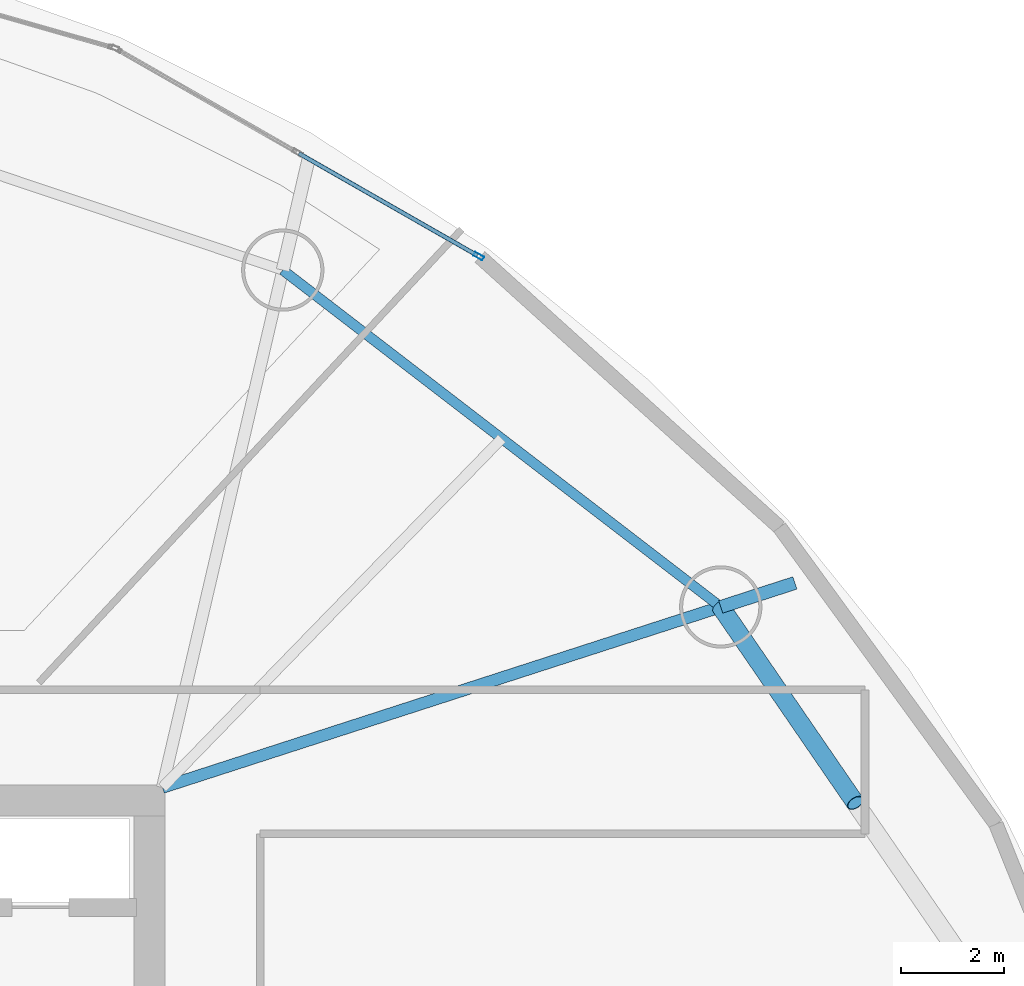
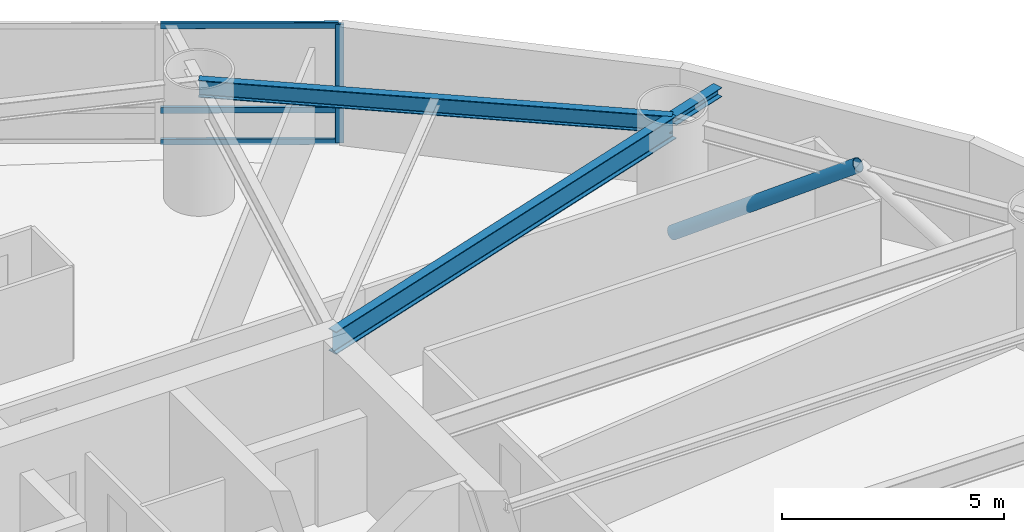
# One storey, part 14 of 23: 5 members, 3 beams, 1 element without a shape of its own.
"""IFC4 building model written with IfcOpenShell, lengths in metres."""

from ifc_helpers import new_model, si_unit, direction, frame, origin, origin_2d, place, context, subcontext, project, spatial, hollow_rectangle, hollow_circle, i_section, extrude, material, layer, layer_set, material_profile, profile_set, type_object, element, aggregate, save


model = new_model("IFC4")

# Units and contexts
model_context = context("Model", 3, precision=1e-05, world=origin(), true_north=direction((0.0, 1.0)))
body_context = subcontext(model_context, "Body", "Model", "MODEL_VIEW")
ifc_project = project(units=[si_unit("LENGTHUNIT", "METRE"), si_unit("AREAUNIT", "SQUARE_METRE"), si_unit("VOLUMEUNIT", "CUBIC_METRE"), si_unit("PLANEANGLEUNIT", "RADIAN"), si_unit("MASSUNIT", "GRAM", prefix="KILO")], contexts=[model_context])

# Site, building, storey
site_placement = place(None, origin())
site = spatial("IfcSite", under=ifc_project, at=site_placement, CompositionType="ELEMENT")
building_placement = place(site_placement, origin())
building = spatial("IfcBuilding", under=site, at=building_placement, Name="Bramvorn Convention Spire", CompositionType="ELEMENT")
storey_placement = place(building_placement, frame((0.0, 0.0, 69.39990234375)))
storey = spatial("IfcBuildingStorey", under=building, at=storey_placement, Name="L15", CompositionType="ELEMENT", Elevation=69.39990234375)

# Beams
ifc_material_1 = material(Name="Steel CSA G40.21 Grade 350 (350W)", Category="steel")
ifc_material_profile_1 = material_profile(ifc_material_1, i_section(OverallWidth=0.25390625, OverallDepth=0.2529296875, WebThickness=0.008544921875, FlangeThickness=0.01416015625, FilletRadius=0.011962890625, at=origin_2d()))
ifc_profile_set_1 = profile_set([ifc_material_profile_1], Name="Steel CSA G40.21 Grade 350 (350W) - W250X73")
beam_type_1 = type_object("IfcBeamType", Name="BM-W250X73", PredefinedType="BEAM", material=ifc_profile_set_1)
beam_1_placement = place(storey_placement, frame((60.105224609375, 36.960205078125, 3.12353515625), z_axis=(0.951512508414, 0.307610055641, 0.0), x_axis=(-0.307610055641, 0.951512508414, 0.0)))
element("IfcBeam", 1, at=beam_1_placement, inside=storey, type_object=beam_type_1, Name="L15 slab-edge cantilever tip beam MC03", PredefinedType="BEAM", context=body_context, shape_type="SweptSolid", body=[
    extrude(i_section(OverallWidth=0.25390625, OverallDepth=0.2529296875, WebThickness=0.008544921875, FlangeThickness=0.01416015625, FilletRadius=0.011962890625, at=origin_2d()), origin(), (0.0, 0.0, 1.0), 1.51513671875),
])
ifc_material_profile_2 = material_profile(ifc_material_1, i_section(OverallWidth=0.194091796875, OverallDepth=0.468994140625, WebThickness=0.0126953125, FlangeThickness=0.0205078125, FilletRadius=0.01806640625, at=origin_2d()))
ifc_profile_set_2 = profile_set([ifc_material_profile_2], Name="Steel CSA G40.21 Grade 350 (350W) - W460X106")
beam_type_2 = type_object("IfcBeamType", Name="BM-W460X106", PredefinedType="SPANDREL", material=ifc_profile_set_2)
beam_2_placement = place(storey_placement, frame((60.105224609375, 36.960205078125, 3.015625), z_axis=(-0.792672990445, 0.609647053809, 0.0), x_axis=(-0.609647053809, -0.792672990445, 0.0)))
element("IfcBeam", 2, at=beam_2_placement, inside=storey, type_object=beam_type_2, Name="L15 mega-column ring beam 03", PredefinedType="SPANDREL", context=body_context, shape_type="SweptSolid", body=[
    extrude(i_section(OverallWidth=0.194091796875, OverallDepth=0.468994140625, WebThickness=0.0126953125, FlangeThickness=0.0205078125, FilletRadius=0.01806640625, at=origin_2d()), origin(), (0.0, 0.0, 1.0), 10.741943359375),
])
ifc_material_profile_3 = material_profile(ifc_material_1, i_section(OverallWidth=0.22998046875, OverallDepth=0.616943359375, WebThickness=0.01318359375, FlangeThickness=0.022216796875, FilletRadius=0.02001953125, at=origin_2d()))
ifc_profile_set_3 = profile_set([ifc_material_profile_3], Name="Steel CSA G40.21 Grade 350 (350W) - W610X140")
beam_type_3 = type_object("IfcBeamType", Name="BM-W610X140", PredefinedType="BEAM", material=ifc_profile_set_3)
beam_3_placement = place(storey_placement, frame((49.25, 33.449951171875, 2.941650390625), z_axis=(0.951488933275, 0.307682969719, 0.0), x_axis=(-0.307682969719, 0.951488933275, 0.0)))
element("IfcBeam", 3, at=beam_3_placement, inside=storey, type_object=beam_type_3, Name="L15 radial floor girder MC03", PredefinedType="BEAM", context=body_context, shape_type="SweptSolid", body=[
    extrude(i_section(OverallWidth=0.22998046875, OverallDepth=0.616943359375, WebThickness=0.01318359375, FlangeThickness=0.022216796875, FilletRadius=0.02001953125, at=origin_2d()), origin(), (0.0, 0.0, 1.0), 11.40869140625),
])

# Curtain wall, members
ifc_material_2 = material(Name="Anodised Bronze Unitised Curtain Wall", Category="aluminium")
ifc_layer = layer(ifc_material_2, 0.179931640625)
ifc_layer_set = layer_set([ifc_layer], Name="Anodised Bronze Unitised Curtain Wall - CW-HTL-FRIT")
curtain_wall_type = type_object("IfcCurtainWallType", Name="CW-HTL-FRIT", PredefinedType="USERDEFINED", material=ifc_layer_set)
curtain_wall_placement = place(storey_placement, origin())
curtain_wall = element("IfcCurtainWall", 4, at=curtain_wall_placement, inside=storey, type_object=curtain_wall_type, Name="L15 fritted glass curtain wall 05", ObjectType="UNITISED CURTAIN WALL", PredefinedType="USERDEFINED")
ifc_material_3 = material(Name="Anodised Bronze Aluminium 6063-T6", Category="aluminium")
ifc_material_profile_4 = material_profile(ifc_material_3, hollow_rectangle(XDim=0.080078125, YDim=0.199951171875, WallThickness=0.00390625, InnerFilletRadius=0.0009765625, OuterFilletRadius=0.00390625, at=origin_2d()))
ifc_profile_set_4 = profile_set([ifc_material_profile_4], Name="Anodised Bronze Aluminium 6063-T6 - CWM80X200")
member_type_1 = type_object("IfcMemberType", Name="CW-MUL-180", PredefinedType="MULLION", material=ifc_profile_set_4)
member_1_placement = place(storey_placement, frame((55.398681640625, 43.77880859375, 0.0), z_axis=(0.0, 0.0, 1.0), x_axis=(0.496612033852, 0.867972630809, 0.0)))
member_1 = element("IfcMember", 5, at=member_1_placement, type_object=member_type_1, Name="CW2 mullion 3", PredefinedType="MULLION", context=body_context, shape_type="SweptSolid", body=[
    extrude(hollow_rectangle(XDim=0.080078125, YDim=0.199951171875, WallThickness=0.00390625, InnerFilletRadius=0.0009765625, OuterFilletRadius=0.00390625, at=origin_2d()), origin(), (0.0, 0.0, 1.0), 3.25),
])
ifc_material_profile_5 = material_profile(ifc_material_3, hollow_rectangle(XDim=0.080078125, YDim=0.159912109375, WallThickness=0.00390625, InnerFilletRadius=0.0009765625, OuterFilletRadius=0.00390625, at=origin_2d()))
ifc_profile_set_5 = profile_set([ifc_material_profile_5], Name="Anodised Bronze Aluminium 6063-T6 - CWT80X160")
member_type_2 = type_object("IfcMemberType", Name="CW-TRN-150", PredefinedType="USERDEFINED", material=ifc_profile_set_5)
member_2_placement = place(storey_placement, frame((51.904541015625, 45.77783203125, 0.030029296875), z_axis=(0.867983566044, -0.49659292089, 0.0), x_axis=(0.49659292089, 0.867983566044, 0.0)))
member_2 = element("IfcMember", 6, at=member_2_placement, type_object=member_type_2, Name="CW2 transom 2.1", ObjectType="TRANSOM", PredefinedType="USERDEFINED", context=body_context, shape_type="SweptSolid", body=[
    extrude(hollow_rectangle(XDim=0.080078125, YDim=0.159912109375, WallThickness=0.00390625, InnerFilletRadius=0.0009765625, OuterFilletRadius=0.00390625, at=origin_2d()), origin(), (0.0, 0.0, 1.0), 3.99560546875),
])
member_3_placement = place(storey_placement, frame((51.904541015625, 45.77783203125, 0.900146484375), z_axis=(0.867983566044, -0.49659292089, 0.0), x_axis=(0.49659292089, 0.867983566044, 0.0)))
member_3 = element("IfcMember", 7, at=member_3_placement, type_object=member_type_2, Name="CW2 transom 2.2", ObjectType="TRANSOM", PredefinedType="USERDEFINED", context=body_context, shape_type="SweptSolid", body=[
    extrude(hollow_rectangle(XDim=0.080078125, YDim=0.159912109375, WallThickness=0.00390625, InnerFilletRadius=0.0009765625, OuterFilletRadius=0.00390625, at=origin_2d()), origin(), (0.0, 0.0, 1.0), 3.99560546875),
])
member_4_placement = place(storey_placement, frame((51.904541015625, 45.77783203125, 3.22021484375), z_axis=(0.867983566044, -0.49659292089, 0.0), x_axis=(0.49659292089, 0.867983566044, 0.0)))
member_4 = element("IfcMember", 8, at=member_4_placement, type_object=member_type_2, Name="CW2 transom 2.3", ObjectType="TRANSOM", PredefinedType="USERDEFINED", context=body_context, shape_type="SweptSolid", body=[
    extrude(hollow_rectangle(XDim=0.080078125, YDim=0.159912109375, WallThickness=0.00390625, InnerFilletRadius=0.0009765625, OuterFilletRadius=0.00390625, at=origin_2d()), origin(), (0.0, 0.0, 1.0), 3.99560546875),
])
aggregate(curtain_wall, [member_1, member_2, member_3, member_4])

# Member
ifc_material_profile_6 = material_profile(ifc_material_1, hollow_circle(Radius=0.177734375, WallThickness=0.015869140625, at=origin_2d()))
ifc_profile_set_6 = profile_set([ifc_material_profile_6], Name="Steel CSA G40.21 Grade 350 (350W) - CHS356X16")
member_type_3 = type_object("IfcMemberType", Name="MBR-CHS356X16", PredefinedType="BRACE", material=ifc_profile_set_6)
member_5_placement = place(storey_placement, frame((60.105224609375, 36.960205078125, 0.0), z_axis=(0.463106048325, -0.674307985647, 0.575188254833), x_axis=(0.824316157743, 0.566129730789, 0.0)))
element("IfcMember", 9, at=member_5_placement, inside=storey, type_object=member_type_3, Name="L15 perimeter Gothic lancet brace 2B", PredefinedType="BRACE", context=body_context, shape_type="SweptSolid", body=[
    extrude(hollow_circle(Radius=0.177734375, WallThickness=0.015869140625, at=origin_2d()), origin(), (0.0, 0.0, 1.0), 5.650390625),
])

save(model, "model.ifc")
